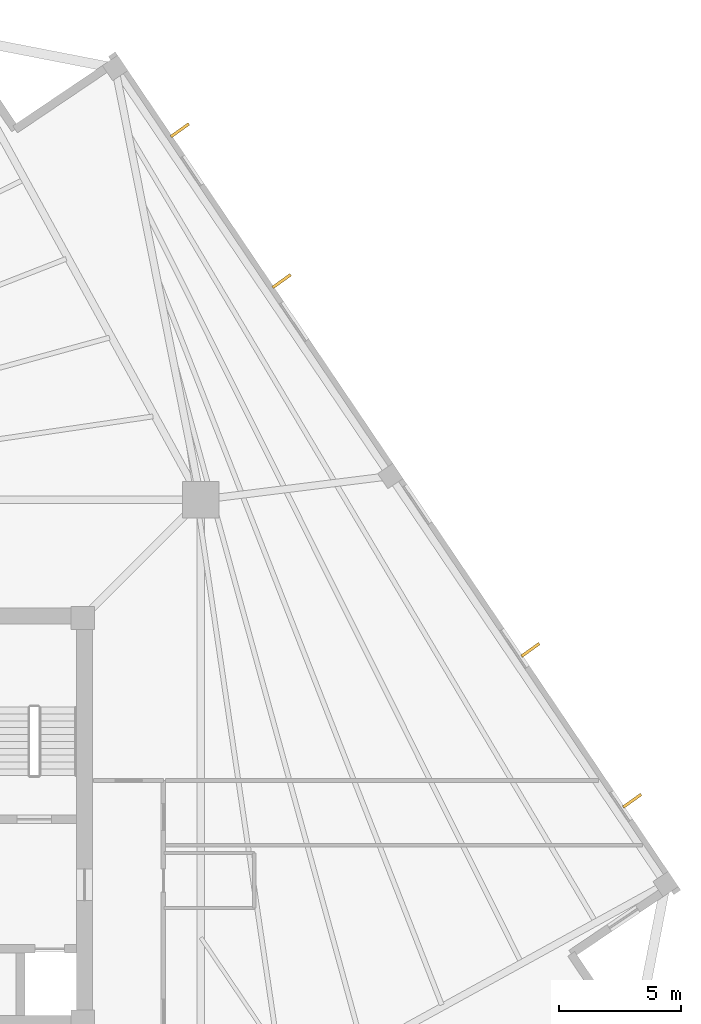
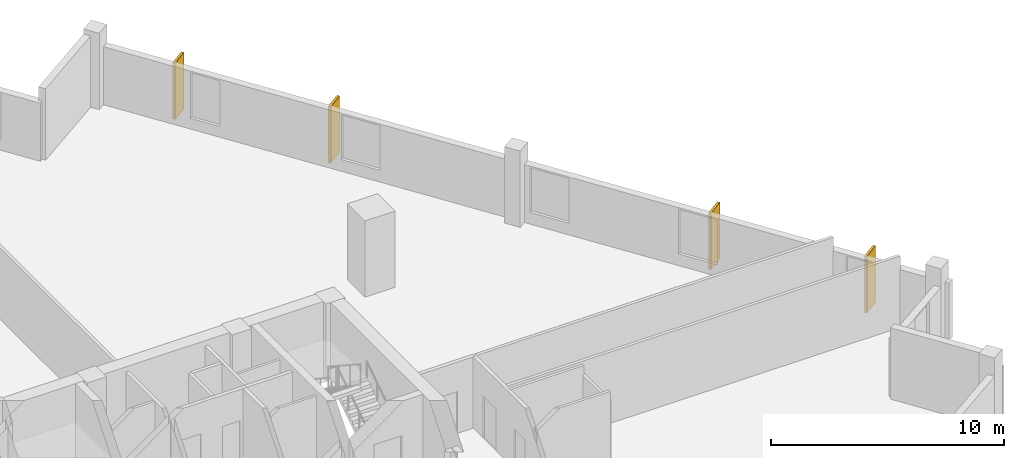
# One storey, part 8 of 8: 4 coverings.
"""IFC4 building model written with IfcOpenShell, lengths in metres."""

from ifc_helpers import new_model, si_unit, direction, frame, origin, origin_2d, place, context, subcontext, project, spatial, rectangle, extrude, source, transform, mapped, material, layer, layer_set, type_object, element, save


model = new_model("IFC4")

# Units and contexts
model_context = context("Model", 3, precision=1e-05, world=origin(), true_north=direction((0.0, 1.0)))
body_context = subcontext(model_context, "Body", "Model", "MODEL_VIEW")
ifc_project = project(units=[si_unit("LENGTHUNIT", "METRE"), si_unit("AREAUNIT", "SQUARE_METRE"), si_unit("VOLUMEUNIT", "CUBIC_METRE"), si_unit("PLANEANGLEUNIT", "RADIAN"), si_unit("MASSUNIT", "GRAM", prefix="KILO"), si_unit("THERMODYNAMICTEMPERATUREUNIT", "KELVIN")], contexts=[model_context])

# Site, building, storey
site_placement = place(None, origin())
site = spatial("IfcSite", under=ifc_project, at=site_placement, CompositionType="ELEMENT")
building_placement = place(site_placement, origin())
building = spatial("IfcBuilding", under=site, at=building_placement, Name="Kosmvard Interchange Tower", CompositionType="ELEMENT")
storey_placement = place(building_placement, frame((0.0, 0.0, 184.39990234375)))
storey = spatial("IfcBuildingStorey", under=building, at=storey_placement, Name="L44", CompositionType="ELEMENT", Elevation=184.39990234375)

# Coverings
ifc_material = material(Name="Architectural anodised aluminium", Category="aluminium")
ifc_layer = layer(ifc_material, 0.1201171875, Name="Architectural anodised aluminium")
ifc_layer_set = layer_set([ifc_layer], Name="Architectural anodised aluminium")
covering_type = type_object("IfcCoveringType", Name="Rotating Vertical Sun-Breaker Fin 900x120 Aluminium", PredefinedType="CLADDING", material=ifc_layer_set)
shared_shape = source(origin(), body_context, "Body", "SweptSolid", [
    extrude(rectangle(XDim=0.89990234375, YDim=0.1201171875, at=origin_2d()), origin(), (0.0, 0.0, 1.0), 2.9599609375),
])
for number, where, z_axis, x_axis, name in (
    (1, (30.718994140625, 0.774169921875, 0.0400390625), (0.0, 0.0, 1.0), (0.813303910756, 0.581839108989, 0.0), "L44 Rotating Vertical Sun-Breaker Fin 05"),
    (2, (26.557861328125, 6.943115234375, 0.0400390625), (0.0, 0.0, 1.0), (0.813303910756, 0.581839108989, 0.0), "L44 Rotating Vertical Sun-Breaker Fin 06"),
    (3, (16.38623046875, 22.02294921875, 0.0400390625), (0.0, 0.0, 1.0), (0.813303910756, 0.581839108989, 0.0), "L44 Rotating Vertical Sun-Breaker Fin 07"),
    (4, (12.225341796875, 28.192138671875, 0.0400390625), (0.0, 0.0, 1.0), (0.813303910756, 0.581839108989, 0.0), "L44 Rotating Vertical Sun-Breaker Fin 08"),
):
    element("IfcCovering", number, at=place(storey_placement, frame(where, z_axis=z_axis, x_axis=x_axis)), inside=storey, type_object=covering_type, Name=name, PredefinedType="CLADDING", context=body_context, shape_type="MappedRepresentation", body=[
        mapped(shared_shape, transform((0.0, 0.0, 0.0), scale=1.0)),
    ])

save(model, "model.ifc")
